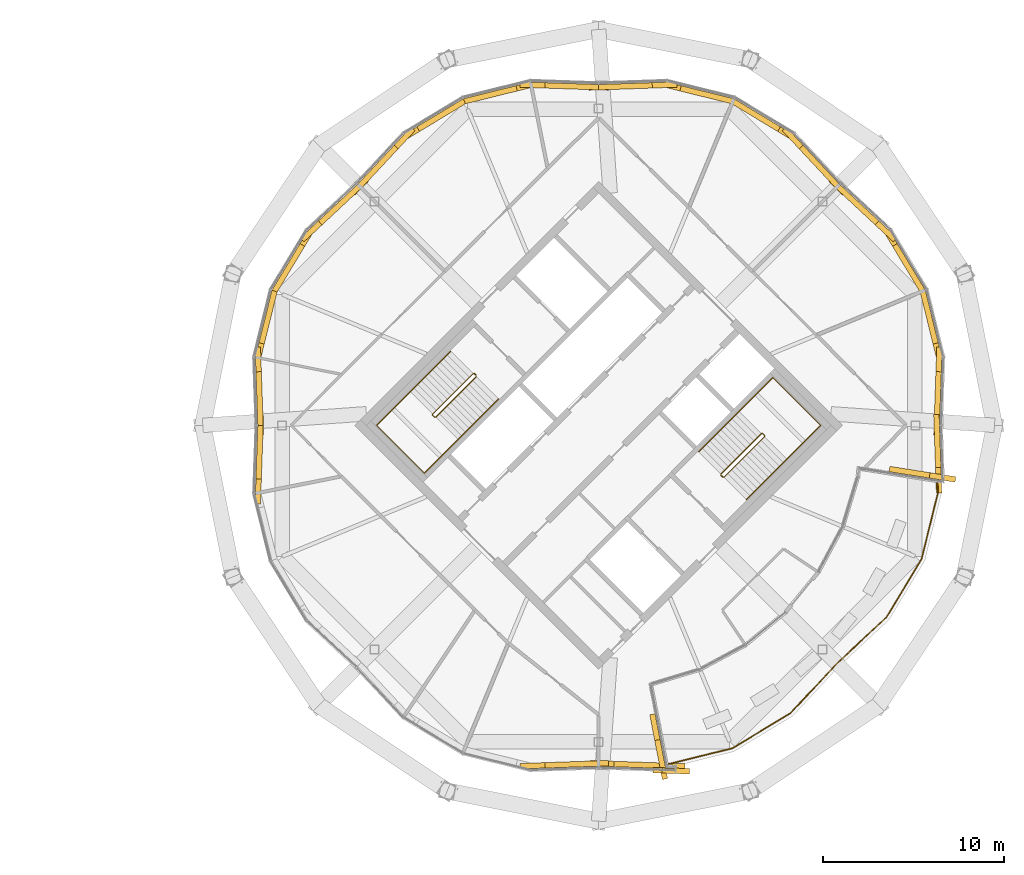
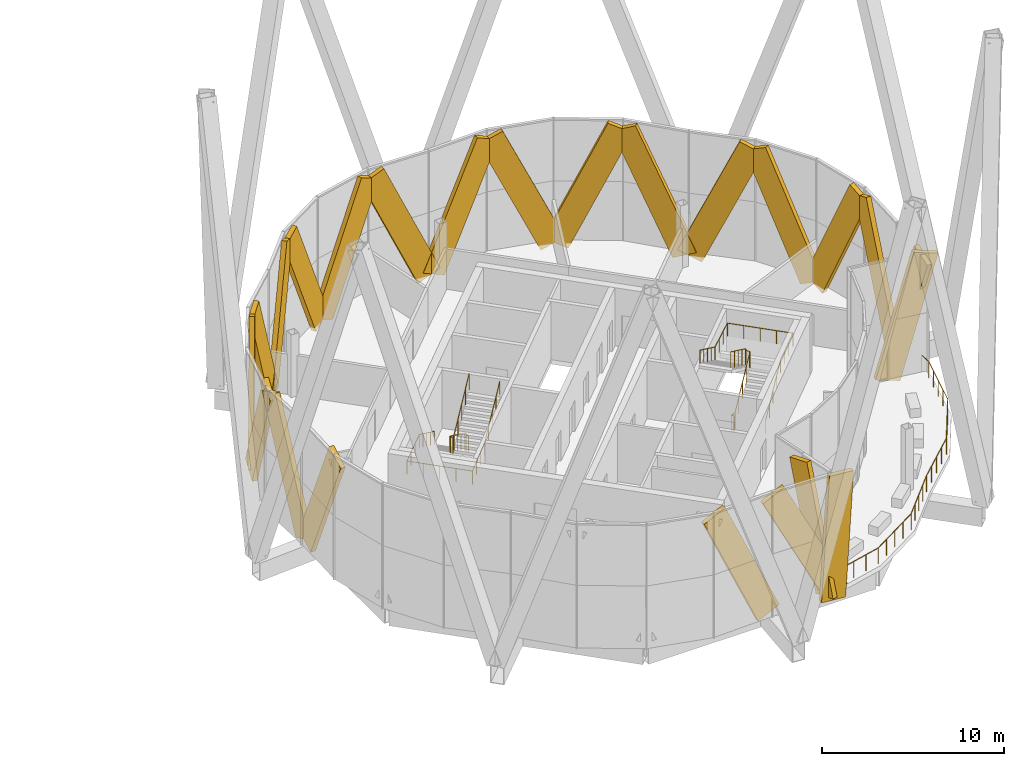
# One storey, part 37 of 38: 23 coverings, 5 railings.
"""IFC4 building model written with IfcOpenShell, lengths in metres."""

from ifc_helpers import new_model, si_unit, direction, frame, origin, origin_2d, place, context, subcontext, project, spatial, rectangle, circle, extrude, material, material_profile, profile_set, type_object, element, save


model = new_model("IFC4")

# Units and contexts
model_context = context("Model", 3, precision=1e-05, world=origin(), true_north=direction((0.0, 1.0)))
body_context = subcontext(model_context, "Body", "Model", "MODEL_VIEW")
ifc_project = project(units=[si_unit("LENGTHUNIT", "METRE"), si_unit("AREAUNIT", "SQUARE_METRE"), si_unit("VOLUMEUNIT", "CUBIC_METRE"), si_unit("PLANEANGLEUNIT", "RADIAN"), si_unit("MASSUNIT", "GRAM", prefix="KILO")], contexts=[model_context])

# Site, building, storey
site_placement = place(None, origin())
site = spatial("IfcSite", under=ifc_project, at=site_placement, CompositionType="ELEMENT")
building_placement = place(site_placement, origin())
building = spatial("IfcBuilding", under=site, at=building_placement, Name="Ogive Gate Towers", CompositionType="ELEMENT")
storey_placement = place(building_placement, frame((0.0, 0.0, 268.800048828125)))
storey = spatial("IfcBuildingStorey", under=building, at=storey_placement, Name="L63", CompositionType="ELEMENT", Elevation=268.800048828125)

# Coverings
ifc_material_1 = material(Name="Pale metal aluminium", Category="aluminium")
ifc_material_profile = material_profile(ifc_material_1, rectangle(XDim=0.300048828125, YDim=1.5, at=origin_2d()), Name="1500 x 300 pale metal aluminium")
ifc_profile_set = profile_set([ifc_material_profile], Name="Pale metal aluminium")
covering_type = type_object("IfcCoveringType", Name="Facade fin 1500 x 300", PredefinedType="CLADDING", material=ifc_profile_set)
covering_1_placement = place(storey_placement, frame((49.280029296875, 13.073974609375, -0.04296875), z_axis=(0.299349711694, -0.279381621216, 0.912324317244), x_axis=(0.682303314669, 0.731069207936, 0.0)))
element("IfcCovering", 1, at=covering_1_placement, inside=storey, type_object=covering_type, Name="Facade fin", PredefinedType="CLADDING", context=body_context, shape_type="SweptSolid", body=[
    extrude(rectangle(XDim=0.300048828125, YDim=1.5, at=origin_2d()), origin(), (0.0, 0.0, 1.0), 8.5341796875),
])
covering_2_placement = place(storey_placement, frame((53.802001953125, 7.48828125, -0.0390625), z_axis=(-0.214437127, 0.355100799146, 0.909901171012), x_axis=(-0.856025355969, -0.516933835165, 0.0)))
element("IfcCovering", 2, at=covering_2_placement, inside=storey, type_object=covering_type, Name="Facade fin", PredefinedType="CLADDING", context=body_context, shape_type="SweptSolid", body=[
    extrude(rectangle(XDim=0.300048828125, YDim=1.5, at=origin_2d()), origin(), (0.0, 0.0, 1.0), 8.548095703125),
])
covering_3_placement = place(storey_placement, frame((53.8828125, 7.29296875, -0.0390625), z_axis=(0.09945054797, -0.402714740487, 0.909906822869), x_axis=(0.970835134211, 0.239748080661, 0.0)))
element("IfcCovering", 3, at=covering_3_placement, inside=storey, type_object=covering_type, Name="Facade fin", PredefinedType="CLADDING", context=body_context, shape_type="SweptSolid", body=[
    extrude(rectangle(XDim=0.300048828125, YDim=1.5, at=origin_2d()), origin(), (0.0, 0.0, 1.0), 8.5478515625),
])
for number, where, z_axis, x_axis, name in (
    (4, (54.635009765625, 0.145751953125, -0.04296875), (0.014132103732, 0.409230250787, 0.912321700654), (-0.999404255625, 0.03451280687, 0.0), "Facade fin"),
    (5, (36.145751953125, 18.635009765625, -0.04296875), (0.409230250787, 0.014132103732, 0.912321700654), (-0.03451280687, 0.999404255625, 0.0), "Facade fin"),
):
    element("IfcCovering", number, at=place(storey_placement, frame(where, z_axis=z_axis, x_axis=x_axis)), inside=storey, type_object=covering_type, Name=name, PredefinedType="CLADDING", context=body_context, shape_type="SweptSolid", body=[
        extrude(rectangle(XDim=0.300048828125, YDim=1.5, at=origin_2d()), origin(), (0.0, 0.0, 1.0), 8.5341796875),
    ])
covering_4_placement = place(storey_placement, frame((43.29296875, 17.8828125, -0.0390625), z_axis=(-0.402714740487, 0.09945054797, 0.909906822869), x_axis=(-0.239748080661, -0.970835134211, 0.0)))
element("IfcCovering", 6, at=covering_4_placement, inside=storey, type_object=covering_type, Name="Facade fin", PredefinedType="CLADDING", context=body_context, shape_type="SweptSolid", body=[
    extrude(rectangle(XDim=0.300048828125, YDim=1.5, at=origin_2d()), origin(), (0.0, 0.0, 1.0), 8.5478515625),
])
covering_5_placement = place(storey_placement, frame((43.48828125, 17.802001953125, -0.0390625), z_axis=(0.355100799146, -0.214437127, 0.909901171012), x_axis=(0.516933835165, 0.856025355969, 0.0)))
element("IfcCovering", 7, at=covering_5_placement, inside=storey, type_object=covering_type, Name="Facade fin", PredefinedType="CLADDING", context=body_context, shape_type="SweptSolid", body=[
    extrude(rectangle(XDim=0.300048828125, YDim=1.5, at=origin_2d()), origin(), (0.0, 0.0, 1.0), 8.548095703125),
])
for number, where, z_axis, x_axis, name in (
    (8, (49.073974609375, 13.280029296875, -0.04296875), (-0.279381621216, 0.299349711694, 0.912324317244), (-0.731069207936, -0.682303314669, 0.0), "Facade fin"),
    (9, (22.926025390625, 13.280029296875, -0.04296875), (0.279381621216, 0.299349711694, 0.912324317244), (-0.731069207936, 0.682303314669, 0.0), "Facade fin"),
):
    element("IfcCovering", number, at=place(storey_placement, frame(where, z_axis=z_axis, x_axis=x_axis)), inside=storey, type_object=covering_type, Name=name, PredefinedType="CLADDING", context=body_context, shape_type="SweptSolid", body=[
        extrude(rectangle(XDim=0.300048828125, YDim=1.5, at=origin_2d()), origin(), (0.0, 0.0, 1.0), 8.5341796875),
    ])
covering_6_placement = place(storey_placement, frame((28.51171875, 17.802001953125, -0.0390625), z_axis=(-0.355100799146, -0.214437127, 0.909901171012), x_axis=(0.516933835165, -0.856025355969, 0.0)))
element("IfcCovering", 10, at=covering_6_placement, inside=storey, type_object=covering_type, Name="Facade fin", PredefinedType="CLADDING", context=body_context, shape_type="SweptSolid", body=[
    extrude(rectangle(XDim=0.300048828125, YDim=1.5, at=origin_2d()), origin(), (0.0, 0.0, 1.0), 8.548095703125),
])
covering_7_placement = place(storey_placement, frame((28.70703125, 17.8828125, -0.0390625), z_axis=(0.402714740487, 0.09945054797, 0.909906822869), x_axis=(-0.239748080661, 0.970835134211, 0.0)))
element("IfcCovering", 11, at=covering_7_placement, inside=storey, type_object=covering_type, Name="Facade fin", PredefinedType="CLADDING", context=body_context, shape_type="SweptSolid", body=[
    extrude(rectangle(XDim=0.300048828125, YDim=1.5, at=origin_2d()), origin(), (0.0, 0.0, 1.0), 8.5478515625),
])
for number, where, z_axis, x_axis, name in (
    (12, (35.854248046875, 18.635009765625, -0.04296875), (-0.409230250787, 0.014132103732, 0.912321700654), (-0.03451280687, -0.999404255625, 0.0), "Facade fin"),
    (13, (17.364990234375, 0.145751953125, -0.04296875), (-0.014132103732, 0.409230250787, 0.912321700654), (-0.999404255625, -0.03451280687, 0.0), "Facade fin"),
):
    element("IfcCovering", number, at=place(storey_placement, frame(where, z_axis=z_axis, x_axis=x_axis)), inside=storey, type_object=covering_type, Name=name, PredefinedType="CLADDING", context=body_context, shape_type="SweptSolid", body=[
        extrude(rectangle(XDim=0.300048828125, YDim=1.5, at=origin_2d()), origin(), (0.0, 0.0, 1.0), 8.5341796875),
    ])
covering_8_placement = place(storey_placement, frame((18.1171875, 7.29296875, -0.0390625), z_axis=(-0.09945054797, -0.402714740487, 0.909906822869), x_axis=(0.970835134211, -0.239748080661, 0.0)))
element("IfcCovering", 14, at=covering_8_placement, inside=storey, type_object=covering_type, Name="Facade fin", PredefinedType="CLADDING", context=body_context, shape_type="SweptSolid", body=[
    extrude(rectangle(XDim=0.300048828125, YDim=1.5, at=origin_2d()), origin(), (0.0, 0.0, 1.0), 8.5478515625),
])
covering_9_placement = place(storey_placement, frame((18.197998046875, 7.48828125, -0.0390625), z_axis=(0.214437127, 0.355100799146, 0.909901171012), x_axis=(-0.856025355969, 0.516933835165, 0.0)))
element("IfcCovering", 15, at=covering_9_placement, inside=storey, type_object=covering_type, Name="Facade fin", PredefinedType="CLADDING", context=body_context, shape_type="SweptSolid", body=[
    extrude(rectangle(XDim=0.300048828125, YDim=1.5, at=origin_2d()), origin(), (0.0, 0.0, 1.0), 8.548095703125),
])
for number, where, z_axis, x_axis, name in (
    (16, (22.719970703125, 13.073974609375, -0.04296875), (-0.299349711694, -0.279381621216, 0.912324317244), (0.682303314669, -0.731069207936, 0.0), "Facade fin"),
    (17, (17.364990234375, -0.145751953125, -0.04296875), (-0.014132103732, -0.409230250787, 0.912321700654), (0.999404255625, -0.03451280687, 0.0), "Facade fin"),
    (18, (35.854248046875, -18.635009765625, -0.04296875), (-0.409230250787, -0.014132103732, 0.912321700654), (0.03451280687, -0.999404255625, 0.0), "Facade fin"),
):
    element("IfcCovering", number, at=place(storey_placement, frame(where, z_axis=z_axis, x_axis=x_axis)), inside=storey, type_object=covering_type, Name=name, PredefinedType="CLADDING", context=body_context, shape_type="SweptSolid", body=[
        extrude(rectangle(XDim=0.300048828125, YDim=1.5, at=origin_2d()), origin(), (0.0, 0.0, 1.0), 8.5341796875),
    ])
covering_10_placement = place(storey_placement, frame((39.51806640625, -18.7802734375, -0.15185546875), z_axis=(-0.050424030971, 0.259445466239, 0.964440494353), x_axis=(-0.981632185631, -0.190783259573, 0.0)))
element("IfcCovering", 19, at=covering_10_placement, inside=storey, type_object=covering_type, Name="Facade fin", PredefinedType="CLADDING", context=body_context, shape_type="SweptSolid", body=[
    extrude(rectangle(XDim=0.300048828125, YDim=1.5, at=origin_2d()), origin(), (0.0, 0.0, 1.0), 8.298828125),
])
covering_11_placement = place(storey_placement, frame((39.7490234375, -19.019775390625, -0.304931640625), z_axis=(0.060179704277, -0.00208224123, 0.998185387323), x_axis=(0.034579696874, 0.999401943446, 0.0)))
element("IfcCovering", 20, at=covering_11_placement, inside=storey, type_object=covering_type, Name="Facade fin", PredefinedType="CLADDING", context=body_context, shape_type="SweptSolid", body=[
    extrude(rectangle(XDim=0.300048828125, YDim=1.5, at=origin_2d()), origin(), (0.0, 0.0, 1.0), 8.32470703125),
])
covering_12_placement = place(storey_placement, frame((40.090087890625, -18.771240234375, -0.010986328125), z_axis=(-0.451722200221, 0.015596077713, 0.892022318211), x_axis=(-0.03450525676, -0.999404516328, 0.0)))
element("IfcCovering", 21, at=covering_12_placement, inside=storey, type_object=covering_type, Name="Facade fin", PredefinedType="CLADDING", context=body_context, shape_type="SweptSolid", body=[
    extrude(rectangle(XDim=0.300048828125, YDim=1.5, at=origin_2d()), origin(), (0.0, 0.0, 1.0), 8.65673828125),
])
covering_13_placement = place(storey_placement, frame((54.633544921875, -0.10400390625, -0.08984375), z_axis=(0.011972404687, -0.346734788181, 0.937886799241), x_axis=(0.99940440668, 0.034508432413, 0.0)))
element("IfcCovering", 22, at=covering_13_placement, inside=storey, type_object=covering_type, Name="Facade fin", PredefinedType="CLADDING", context=body_context, shape_type="SweptSolid", body=[
    extrude(rectangle(XDim=0.300048828125, YDim=1.5, at=origin_2d()), origin(), (0.0, 0.0, 1.0), 8.4013671875),
])
covering_14_placement = place(storey_placement, frame((52.739013671875, -2.51953125, -0.14794921875), z_axis=(0.265999968803, -0.042137735496, 0.963051622627), x_axis=(0.156461556782, 0.987684049304, 0.0)))
element("IfcCovering", 23, at=covering_14_placement, inside=storey, type_object=covering_type, Name="Facade fin", PredefinedType="CLADDING", context=body_context, shape_type="SweptSolid", body=[
    extrude(rectangle(XDim=0.300048828125, YDim=1.5, at=origin_2d()), origin(), (0.0, 0.0, 1.0), 8.302734375),
])

# Railings
ifc_material_2 = material(Name="Stainless steel", Category="steel")
railing_type_1 = type_object("IfcRailingType", Name="Guard 1100", PredefinedType="GUARDRAIL", material=ifc_material_2)
railing_1_placement = place(storey_placement, frame((54.663330078125, -2.99462890625, 0.0)))
element("IfcRailing", 24, at=railing_1_placement, inside=storey, type_object=railing_type_1, Name="Sky garden guard", PredefinedType="GUARDRAIL", context=body_context, shape_type="SweptSolid", body=[
    extrude(circle(Radius=0.02392578125, at=origin_2d()), frame((0.0, 0.0, 1.076171875), z_axis=(0.03485869648, -0.99939225096, 0.0), x_axis=(0.99939225096, 0.03485869648, 0.0)), (0.0, 0.0, 1.0), 0.742431640625),
    extrude(circle(Radius=0.02392578125, at=origin_2d()), frame((0.02587890625, -0.741943359375, 1.076171875), z_axis=(-0.239817671513, -0.970817946079, 0.0), x_axis=(0.970817946079, -0.239817671513, 0.0)), (0.0, 0.0, 1.0), 3.7421875),
    extrude(circle(Radius=0.02392578125, at=origin_2d()), frame((-0.87158203125, -4.375, 1.076171875), z_axis=(-0.516911497969, -0.856038844485, 0.0), x_axis=(0.856038844485, -0.516911497969, 0.0)), (0.0, 0.0, 1.0), 3.7421875),
    extrude(circle(Radius=0.02392578125, at=origin_2d()), frame((-2.805908203125, -7.578369140625, 1.076171875), z_axis=(-0.731118352896, -0.682250653396, 0.0), x_axis=(0.682250653396, -0.731118352896, 0.0)), (0.0, 0.0, 1.0), 3.73193359375),
    extrude(circle(Radius=0.02392578125, at=origin_2d()), frame((-5.534423828125, -10.12451171875, 1.076171875), z_axis=(-0.68234379459, -0.731031426127, 0.0), x_axis=(0.731031426127, -0.68234379459, 0.0)), (0.0, 0.0, 1.0), 3.745849609375),
    extrude(circle(Radius=0.02392578125, at=origin_2d()), frame((-8.09033203125, -12.86279296875, 1.076171875), z_axis=(-0.856038844485, -0.516911497969, 0.0), x_axis=(0.516911497969, -0.856038844485, 0.0)), (0.0, 0.0, 1.0), 3.7421875),
    extrude(circle(Radius=0.02392578125, at=origin_2d()), frame((-11.293701171875, -14.797119140625, 1.076171875), z_axis=(-0.970817946079, -0.239817671513, 0.0), x_axis=(0.239817671513, -0.970817946079, 0.0)), (0.0, 0.0, 1.0), 3.7421875),
    extrude(circle(Radius=0.02392578125, at=origin_2d()), frame((-14.9267578125, -15.694580078125, 1.076171875), z_axis=(-0.999291731976, 0.037630232585, 0.0), x_axis=(-0.037630232585, -0.999291731976, 0.0)), (0.0, 0.0, 1.0), 0.058349609375),
    extrude(circle(Radius=0.02099609375, at=origin_2d()), origin(), (0.0, 0.0, 1.0), 1.052001953125),
    extrude(circle(Radius=0.02099609375, at=origin_2d()), frame((0.02587890625, -0.741943359375, 0.0)), (0.0, 0.0, 1.0), 1.052001953125),
    extrude(circle(Radius=0.02099609375, at=origin_2d()), frame((-0.198486328125, -1.650146484375, 0.0)), (0.0, 0.0, 1.0), 1.052001953125),
    extrude(circle(Radius=0.02099609375, at=origin_2d()), frame((-0.4228515625, -2.55859375, 0.0)), (0.0, 0.0, 1.0), 1.052001953125),
    extrude(circle(Radius=0.02099609375, at=origin_2d()), frame((-0.647216796875, -3.466796875, 0.0)), (0.0, 0.0, 1.0), 1.052001953125),
    extrude(circle(Radius=0.02099609375, at=origin_2d()), frame((-0.87158203125, -4.375, 0.0)), (0.0, 0.0, 1.0), 1.052001953125),
    extrude(circle(Radius=0.02099609375, at=origin_2d()), frame((-1.355224609375, -5.17578125, 0.0)), (0.0, 0.0, 1.0), 1.052001953125),
    extrude(circle(Radius=0.02099609375, at=origin_2d()), frame((-1.8388671875, -5.9765625, 0.0)), (0.0, 0.0, 1.0), 1.052001953125),
    extrude(circle(Radius=0.02099609375, at=origin_2d()), frame((-2.322265625, -6.777587890625, 0.0)), (0.0, 0.0, 1.0), 1.052001953125),
    extrude(circle(Radius=0.02099609375, at=origin_2d()), frame((-2.805908203125, -7.578369140625, 0.0)), (0.0, 0.0, 1.0), 1.052001953125),
    extrude(circle(Radius=0.02099609375, at=origin_2d()), frame((-3.488037109375, -8.21484375, 0.0)), (0.0, 0.0, 1.0), 1.052001953125),
    extrude(circle(Radius=0.02099609375, at=origin_2d()), frame((-4.170166015625, -8.8515625, 0.0)), (0.0, 0.0, 1.0), 1.052001953125),
    extrude(circle(Radius=0.02099609375, at=origin_2d()), frame((-4.852294921875, -9.488037109375, 0.0)), (0.0, 0.0, 1.0), 1.052001953125),
    extrude(circle(Radius=0.02099609375, at=origin_2d()), frame((-5.534423828125, -10.12451171875, 0.0)), (0.0, 0.0, 1.0), 1.052001953125),
    extrude(circle(Radius=0.02099609375, at=origin_2d()), frame((-6.17333984375, -10.80908203125, 0.0)), (0.0, 0.0, 1.0), 1.052001953125),
    extrude(circle(Radius=0.02099609375, at=origin_2d()), frame((-6.8125, -11.49365234375, 0.0)), (0.0, 0.0, 1.0), 1.052001953125),
    extrude(circle(Radius=0.02099609375, at=origin_2d()), frame((-7.451416015625, -12.17822265625, 0.0)), (0.0, 0.0, 1.0), 1.052001953125),
    extrude(circle(Radius=0.02099609375, at=origin_2d()), frame((-8.09033203125, -12.86279296875, 0.0)), (0.0, 0.0, 1.0), 1.052001953125),
    extrude(circle(Radius=0.02099609375, at=origin_2d()), frame((-8.89111328125, -13.346435546875, 0.0)), (0.0, 0.0, 1.0), 1.052001953125),
    extrude(circle(Radius=0.02099609375, at=origin_2d()), frame((-9.69189453125, -13.830078125, 0.0)), (0.0, 0.0, 1.0), 1.052001953125),
    extrude(circle(Radius=0.02099609375, at=origin_2d()), frame((-10.492919921875, -14.3134765625, 0.0)), (0.0, 0.0, 1.0), 1.052001953125),
    extrude(circle(Radius=0.02099609375, at=origin_2d()), frame((-11.293701171875, -14.797119140625, 0.0)), (0.0, 0.0, 1.0), 1.052001953125),
    extrude(circle(Radius=0.02099609375, at=origin_2d()), frame((-12.201904296875, -15.021484375, 0.0)), (0.0, 0.0, 1.0), 1.052001953125),
    extrude(circle(Radius=0.02099609375, at=origin_2d()), frame((-13.1103515625, -15.245849609375, 0.0)), (0.0, 0.0, 1.0), 1.052001953125),
    extrude(circle(Radius=0.02099609375, at=origin_2d()), frame((-14.0185546875, -15.47021484375, 0.0)), (0.0, 0.0, 1.0), 1.052001953125),
    extrude(circle(Radius=0.02099609375, at=origin_2d()), frame((-14.9267578125, -15.694580078125, 0.0)), (0.0, 0.0, 1.0), 1.052001953125),
    extrude(circle(Radius=0.02099609375, at=origin_2d()), frame((-14.985107421875, -15.6923828125, 0.0)), (0.0, 0.0, 1.0), 1.052001953125),
])
railing_type_2 = type_object("IfcRailingType", Name="Stair guard 1100", PredefinedType="GUARDRAIL", material=ifc_material_2)
railing_2_placement = place(storey_placement, frame((29.15869140625, 2.8603515625, 0.0)))
element("IfcRailing", 25, at=railing_2_placement, inside=storey, type_object=railing_type_2, Name="L63 ST1 stair guard 1", PredefinedType="GUARDRAIL", context=body_context, shape_type="SweptSolid", body=[
    extrude(circle(Radius=0.02392578125, at=origin_2d()), frame((0.0, 0.0, 1.076171875), z_axis=(0.707106781187, -0.707106781187, 0.0), x_axis=(0.707106781187, 0.707106781187, 0.0)), (0.0, 0.0, 1.0), 0.14501953125),
    extrude(circle(Radius=0.02392578125, at=origin_2d()), frame((0.1025390625, -0.1025390625, 1.076171875), z_axis=(-0.649075284728, 0.384501579105, 0.65639912433), x_axis=(-0.509669330572, -0.860370369942, 0.0)), (0.0, 0.0, 1.0), 0.2666015625),
    extrude(circle(Radius=0.02392578125, at=origin_2d()), frame((-0.070556640625, 0.0, 1.2509765625), z_axis=(-0.604033673362, -0.604033673362, 0.519890991352), x_axis=(0.707106781187, -0.707106781187, 0.0)), (0.0, 0.0, 1.0), 3.702392578125),
    extrude(circle(Radius=0.02392578125, at=origin_2d()), frame((-2.306884765625, -2.236328125, 3.17578125), z_axis=(0.0, -1.0, 0.0), x_axis=(1.0, 0.0, 0.0)), (0.0, 0.0, 1.0), 0.07080078125),
    extrude(circle(Radius=0.02392578125, at=origin_2d()), frame((-2.306884765625, -2.30712890625, 3.17578125), z_axis=(0.707106781187, -0.707106781187, 0.0), x_axis=(0.707106781187, 0.707106781187, 0.0)), (0.0, 0.0, 1.0), 0.14501953125),
    extrude(circle(Radius=0.02392578125, at=origin_2d()), frame((-2.204345703125, -2.40966796875, 3.17578125), z_axis=(0.374954686889, 0.0, 0.927043139654), x_axis=(0.0, 1.0, 0.0)), (0.0, 0.0, 1.0), 0.188720703125),
    extrude(circle(Radius=0.02392578125, at=origin_2d()), frame((-2.133544921875, -2.40966796875, 3.35107421875), z_axis=(0.603971079388, 0.604037022294, 0.51995981668), x_axis=(-0.707145379772, 0.707068180494, 0.0)), (0.0, 0.0, 1.0), 3.702392578125),
    extrude(circle(Radius=0.02099609375, at=origin_2d()), origin(), (0.0, 0.0, 1.0), 1.052001953125),
    extrude(circle(Radius=0.02099609375, at=origin_2d()), frame((0.1025390625, -0.1025390625, 0.0)), (0.0, 0.0, 1.0), 1.052001953125),
    extrude(circle(Radius=0.02099609375, at=origin_2d()), frame((-0.070556640625, 0.0, 0.175048828125)), (0.0, 0.0, 1.0), 1.052001953125),
    extrude(circle(Radius=0.02099609375, at=origin_2d()), frame((-0.629638671875, -0.55908203125, 0.65625)), (0.0, 0.0, 1.0), 1.052001953125),
    extrude(circle(Radius=0.02099609375, at=origin_2d()), frame((-1.188720703125, -1.1181640625, 1.137451171875)), (0.0, 0.0, 1.0), 1.052001953125),
    extrude(circle(Radius=0.02099609375, at=origin_2d()), frame((-1.747802734375, -1.67724609375, 1.61865234375)), (0.0, 0.0, 1.0), 1.052001953125),
    extrude(circle(Radius=0.02099609375, at=origin_2d()), frame((-2.306884765625, -2.236328125, 2.099853515625)), (0.0, 0.0, 1.0), 1.052001953125),
    extrude(circle(Radius=0.02099609375, at=origin_2d()), frame((-2.306884765625, -2.30712890625, 2.099853515625)), (0.0, 0.0, 1.0), 1.052001953125),
    extrude(circle(Radius=0.02099609375, at=origin_2d()), frame((-2.204345703125, -2.40966796875, 2.099853515625)), (0.0, 0.0, 1.0), 1.052001953125),
    extrude(circle(Radius=0.02099609375, at=origin_2d()), frame((-2.133544921875, -2.40966796875, 2.27490234375)), (0.0, 0.0, 1.0), 1.052001953125),
    extrude(circle(Radius=0.02099609375, at=origin_2d()), frame((-1.574462890625, -1.8505859375, 2.756103515625)), (0.0, 0.0, 1.0), 1.052001953125),
    extrude(circle(Radius=0.02099609375, at=origin_2d()), frame((-1.015625, -1.29150390625, 3.2373046875)), (0.0, 0.0, 1.0), 1.052001953125),
    extrude(circle(Radius=0.02099609375, at=origin_2d()), frame((-0.45654296875, -0.732421875, 3.71875)), (0.0, 0.0, 1.0), 1.052001953125),
    extrude(circle(Radius=0.02099609375, at=origin_2d()), frame((0.1025390625, -0.17333984375, 4.199951171875)), (0.0, 0.0, 1.0), 1.052001953125),
])
railing_3_placement = place(storey_placement, frame((42.84130859375, -2.8603515625, 0.0)))
element("IfcRailing", 26, at=railing_3_placement, inside=storey, type_object=railing_type_2, Name="L63 ST2 stair guard 1", PredefinedType="GUARDRAIL", context=body_context, shape_type="SweptSolid", body=[
    extrude(circle(Radius=0.02392578125, at=origin_2d()), frame((0.0, 0.0, 1.076171875), z_axis=(-0.707106781187, 0.707106781187, 0.0), x_axis=(-0.707106781187, -0.707106781187, 0.0)), (0.0, 0.0, 1.0), 0.14501953125),
    extrude(circle(Radius=0.02392578125, at=origin_2d()), frame((-0.1025390625, 0.1025390625, 1.076171875), z_axis=(0.649075284728, -0.384501579105, 0.65639912433), x_axis=(0.509669330572, 0.860370369942, 0.0)), (0.0, 0.0, 1.0), 0.2666015625),
    extrude(circle(Radius=0.02392578125, at=origin_2d()), frame((0.070556640625, 0.0, 1.2509765625), z_axis=(0.604033673362, 0.604033673362, 0.519890991352), x_axis=(-0.707106781187, 0.707106781187, 0.0)), (0.0, 0.0, 1.0), 3.702392578125),
    extrude(circle(Radius=0.02392578125, at=origin_2d()), frame((2.306884765625, 2.236328125, 3.17578125), z_axis=(0.0, 1.0, 0.0), x_axis=(-1.0, 0.0, 0.0)), (0.0, 0.0, 1.0), 0.07080078125),
    extrude(circle(Radius=0.02392578125, at=origin_2d()), frame((2.306884765625, 2.30712890625, 3.17578125), z_axis=(-0.707106781187, 0.707106781187, 0.0), x_axis=(-0.707106781187, -0.707106781187, 0.0)), (0.0, 0.0, 1.0), 0.14501953125),
    extrude(circle(Radius=0.02392578125, at=origin_2d()), frame((2.204345703125, 2.40966796875, 3.17578125), z_axis=(-0.374954686889, 0.0, 0.927043139654), x_axis=(0.0, -1.0, 0.0)), (0.0, 0.0, 1.0), 0.188720703125),
    extrude(circle(Radius=0.02392578125, at=origin_2d()), frame((2.133544921875, 2.40966796875, 3.35107421875), z_axis=(-0.603971079388, -0.604037022294, 0.51995981668), x_axis=(0.707145379772, -0.707068180494, 0.0)), (0.0, 0.0, 1.0), 3.702392578125),
    extrude(circle(Radius=0.02099609375, at=origin_2d()), origin(), (0.0, 0.0, 1.0), 1.052001953125),
    extrude(circle(Radius=0.02099609375, at=origin_2d()), frame((-0.1025390625, 0.1025390625, 0.0)), (0.0, 0.0, 1.0), 1.052001953125),
    extrude(circle(Radius=0.02099609375, at=origin_2d()), frame((0.070556640625, 0.0, 0.175048828125)), (0.0, 0.0, 1.0), 1.052001953125),
    extrude(circle(Radius=0.02099609375, at=origin_2d()), frame((0.629638671875, 0.55908203125, 0.65625)), (0.0, 0.0, 1.0), 1.052001953125),
    extrude(circle(Radius=0.02099609375, at=origin_2d()), frame((1.188720703125, 1.1181640625, 1.137451171875)), (0.0, 0.0, 1.0), 1.052001953125),
    extrude(circle(Radius=0.02099609375, at=origin_2d()), frame((1.747802734375, 1.67724609375, 1.61865234375)), (0.0, 0.0, 1.0), 1.052001953125),
    extrude(circle(Radius=0.02099609375, at=origin_2d()), frame((2.306884765625, 2.236328125, 2.099853515625)), (0.0, 0.0, 1.0), 1.052001953125),
    extrude(circle(Radius=0.02099609375, at=origin_2d()), frame((2.306884765625, 2.30712890625, 2.099853515625)), (0.0, 0.0, 1.0), 1.052001953125),
    extrude(circle(Radius=0.02099609375, at=origin_2d()), frame((2.204345703125, 2.40966796875, 2.099853515625)), (0.0, 0.0, 1.0), 1.052001953125),
    extrude(circle(Radius=0.02099609375, at=origin_2d()), frame((2.133544921875, 2.40966796875, 2.27490234375)), (0.0, 0.0, 1.0), 1.052001953125),
    extrude(circle(Radius=0.02099609375, at=origin_2d()), frame((1.574462890625, 1.8505859375, 2.756103515625)), (0.0, 0.0, 1.0), 1.052001953125),
    extrude(circle(Radius=0.02099609375, at=origin_2d()), frame((1.015625, 1.29150390625, 3.2373046875)), (0.0, 0.0, 1.0), 1.052001953125),
    extrude(circle(Radius=0.02099609375, at=origin_2d()), frame((0.45654296875, 0.732421875, 3.71875)), (0.0, 0.0, 1.0), 1.052001953125),
    extrude(circle(Radius=0.02099609375, at=origin_2d()), frame((-0.1025390625, 0.17333984375, 4.199951171875)), (0.0, 0.0, 1.0), 1.052001953125),
])
railing_type_3 = type_object("IfcRailingType", Name="Stair handrail 900", PredefinedType="HANDRAIL", material=ifc_material_2)
railing_4_placement = place(storey_placement, frame((27.857666015625, 4.090576171875, 0.175048828125)))
element("IfcRailing", 27, at=railing_4_placement, inside=storey, type_object=railing_type_3, Name="L63 ST1 stair handrail 1", PredefinedType="HANDRAIL", context=body_context, shape_type="SweptSolid", body=[
    extrude(circle(Radius=0.02392578125, at=origin_2d()), frame((0.0, 0.0, 0.8759765625), z_axis=(-0.604057733063, -0.603991787895, 0.519911699505), x_axis=(0.707068180494, -0.707145379772, 0.0)), (0.0, 0.0, 1.0), 3.7021484375),
    extrude(circle(Radius=0.02392578125, at=origin_2d()), frame((-2.236328125, -2.236083984375, 2.80078125), z_axis=(-0.70706023191, -0.707153327399, 0.0), x_axis=(0.707153327399, -0.70706023191, 0.0)), (0.0, 0.0, 1.0), 2.62255859375),
    extrude(circle(Radius=0.02392578125, at=origin_2d()), frame((-4.090576171875, -4.090576171875, 2.80078125), z_axis=(0.707106781187, -0.707106781187, 0.0), x_axis=(0.707106781187, 0.707106781187, 0.0)), (0.0, 0.0, 1.0), 3.72509765625),
    extrude(circle(Radius=0.02392578125, at=origin_2d()), frame((-1.45654296875, -6.724609375, 2.80078125), z_axis=(0.705490325719, 0.705583214505, 0.066601259189), x_axis=(-0.707153327399, 0.70706023191, 0.0)), (0.0, 0.0, 1.0), 2.62841796875),
    extrude(circle(Radius=0.02392578125, at=origin_2d()), frame((0.397705078125, -4.8701171875, 2.9755859375), z_axis=(0.604037022294, 0.603971079388, 0.51995981668), x_axis=(-0.707068180494, 0.707145379772, 0.0)), (0.0, 0.0, 1.0), 3.702392578125),
    extrude(circle(Radius=0.02099609375, at=origin_2d()), origin(), (0.0, 0.0, 1.0), 0.851806640625),
    extrude(circle(Radius=0.02099609375, at=origin_2d()), frame((-0.55908203125, -0.55908203125, 0.481201171875)), (0.0, 0.0, 1.0), 0.851806640625),
    extrude(circle(Radius=0.02099609375, at=origin_2d()), frame((-1.1181640625, -1.1181640625, 0.96240234375)), (0.0, 0.0, 1.0), 0.851806640625),
    extrude(circle(Radius=0.02099609375, at=origin_2d()), frame((-1.67724609375, -1.677001953125, 1.443603515625)), (0.0, 0.0, 1.0), 0.851806640625),
    extrude(circle(Radius=0.02099609375, at=origin_2d()), frame((-2.236328125, -2.236083984375, 1.9248046875)), (0.0, 0.0, 1.0), 0.851806640625),
    extrude(circle(Radius=0.02099609375, at=origin_2d()), frame((-2.8544921875, -2.854248046875, 1.9248046875)), (0.0, 0.0, 1.0), 0.851806640625),
    extrude(circle(Radius=0.02099609375, at=origin_2d()), frame((-3.472412109375, -3.472412109375, 1.9248046875)), (0.0, 0.0, 1.0), 0.851806640625),
    extrude(circle(Radius=0.02099609375, at=origin_2d()), frame((-4.090576171875, -4.090576171875, 1.9248046875)), (0.0, 0.0, 1.0), 0.851806640625),
    extrude(circle(Radius=0.02099609375, at=origin_2d()), frame((-3.43212890625, -4.7490234375, 1.9248046875)), (0.0, 0.0, 1.0), 0.851806640625),
    extrude(circle(Radius=0.02099609375, at=origin_2d()), frame((-2.7734375, -5.40771484375, 1.9248046875)), (0.0, 0.0, 1.0), 0.851806640625),
    extrude(circle(Radius=0.02099609375, at=origin_2d()), frame((-2.114990234375, -6.066162109375, 1.9248046875)), (0.0, 0.0, 1.0), 0.851806640625),
    extrude(circle(Radius=0.02099609375, at=origin_2d()), frame((-1.45654296875, -6.724609375, 1.9248046875)), (0.0, 0.0, 1.0), 0.851806640625),
    extrude(circle(Radius=0.02099609375, at=origin_2d()), frame((-0.83837890625, -6.1064453125, 1.983154296875)), (0.0, 0.0, 1.0), 0.851806640625),
    extrude(circle(Radius=0.02099609375, at=origin_2d()), frame((-0.220458984375, -5.48828125, 2.04150390625)), (0.0, 0.0, 1.0), 0.851806640625),
    extrude(circle(Radius=0.02099609375, at=origin_2d()), frame((0.397705078125, -4.8701171875, 2.099853515625)), (0.0, 0.0, 1.0), 0.851806640625),
    extrude(circle(Radius=0.02099609375, at=origin_2d()), frame((0.956787109375, -4.31103515625, 2.5810546875)), (0.0, 0.0, 1.0), 0.851806640625),
    extrude(circle(Radius=0.02099609375, at=origin_2d()), frame((1.515869140625, -3.751953125, 3.0625)), (0.0, 0.0, 1.0), 0.851806640625),
    extrude(circle(Radius=0.02099609375, at=origin_2d()), frame((2.074951171875, -3.193115234375, 3.543701171875)), (0.0, 0.0, 1.0), 0.851806640625),
    extrude(circle(Radius=0.02099609375, at=origin_2d()), frame((2.634033203125, -2.634033203125, 4.02490234375)), (0.0, 0.0, 1.0), 0.851806640625),
])
railing_5_placement = place(storey_placement, frame((44.142333984375, -4.090576171875, 0.175048828125)))
element("IfcRailing", 28, at=railing_5_placement, inside=storey, type_object=railing_type_3, Name="L63 ST2 stair handrail 1", PredefinedType="HANDRAIL", context=body_context, shape_type="SweptSolid", body=[
    extrude(circle(Radius=0.02392578125, at=origin_2d()), frame((0.0, 0.0, 0.8759765625), z_axis=(0.604057733063, 0.603991787895, 0.519911699505), x_axis=(-0.707068180494, 0.707145379772, 0.0)), (0.0, 0.0, 1.0), 3.7021484375),
    extrude(circle(Radius=0.02392578125, at=origin_2d()), frame((2.236328125, 2.236083984375, 2.80078125), z_axis=(0.70706023191, 0.707153327399, 0.0), x_axis=(-0.707153327399, 0.70706023191, 0.0)), (0.0, 0.0, 1.0), 2.62255859375),
    extrude(circle(Radius=0.02392578125, at=origin_2d()), frame((4.090576171875, 4.090576171875, 2.80078125), z_axis=(-0.707106781187, 0.707106781187, 0.0), x_axis=(-0.707106781187, -0.707106781187, 0.0)), (0.0, 0.0, 1.0), 3.72509765625),
    extrude(circle(Radius=0.02392578125, at=origin_2d()), frame((1.45654296875, 6.724609375, 2.80078125), z_axis=(-0.705490325719, -0.705583214505, 0.066601259189), x_axis=(0.707153327399, -0.70706023191, 0.0)), (0.0, 0.0, 1.0), 2.62841796875),
    extrude(circle(Radius=0.02392578125, at=origin_2d()), frame((-0.397705078125, 4.8701171875, 2.9755859375), z_axis=(-0.604037022294, -0.603971079388, 0.51995981668), x_axis=(0.707068180494, -0.707145379772, 0.0)), (0.0, 0.0, 1.0), 3.702392578125),
    extrude(circle(Radius=0.02099609375, at=origin_2d()), origin(), (0.0, 0.0, 1.0), 0.851806640625),
    extrude(circle(Radius=0.02099609375, at=origin_2d()), frame((0.55908203125, 0.55908203125, 0.481201171875)), (0.0, 0.0, 1.0), 0.851806640625),
    extrude(circle(Radius=0.02099609375, at=origin_2d()), frame((1.1181640625, 1.1181640625, 0.96240234375)), (0.0, 0.0, 1.0), 0.851806640625),
    extrude(circle(Radius=0.02099609375, at=origin_2d()), frame((1.67724609375, 1.677001953125, 1.443603515625)), (0.0, 0.0, 1.0), 0.851806640625),
    extrude(circle(Radius=0.02099609375, at=origin_2d()), frame((2.236328125, 2.236083984375, 1.9248046875)), (0.0, 0.0, 1.0), 0.851806640625),
    extrude(circle(Radius=0.02099609375, at=origin_2d()), frame((2.8544921875, 2.854248046875, 1.9248046875)), (0.0, 0.0, 1.0), 0.851806640625),
    extrude(circle(Radius=0.02099609375, at=origin_2d()), frame((3.472412109375, 3.472412109375, 1.9248046875)), (0.0, 0.0, 1.0), 0.851806640625),
    extrude(circle(Radius=0.02099609375, at=origin_2d()), frame((4.090576171875, 4.090576171875, 1.9248046875)), (0.0, 0.0, 1.0), 0.851806640625),
    extrude(circle(Radius=0.02099609375, at=origin_2d()), frame((3.43212890625, 4.7490234375, 1.9248046875)), (0.0, 0.0, 1.0), 0.851806640625),
    extrude(circle(Radius=0.02099609375, at=origin_2d()), frame((2.7734375, 5.40771484375, 1.9248046875)), (0.0, 0.0, 1.0), 0.851806640625),
    extrude(circle(Radius=0.02099609375, at=origin_2d()), frame((2.114990234375, 6.066162109375, 1.9248046875)), (0.0, 0.0, 1.0), 0.851806640625),
    extrude(circle(Radius=0.02099609375, at=origin_2d()), frame((1.45654296875, 6.724609375, 1.9248046875)), (0.0, 0.0, 1.0), 0.851806640625),
    extrude(circle(Radius=0.02099609375, at=origin_2d()), frame((0.83837890625, 6.1064453125, 1.983154296875)), (0.0, 0.0, 1.0), 0.851806640625),
    extrude(circle(Radius=0.02099609375, at=origin_2d()), frame((0.220458984375, 5.48828125, 2.04150390625)), (0.0, 0.0, 1.0), 0.851806640625),
    extrude(circle(Radius=0.02099609375, at=origin_2d()), frame((-0.397705078125, 4.8701171875, 2.099853515625)), (0.0, 0.0, 1.0), 0.851806640625),
    extrude(circle(Radius=0.02099609375, at=origin_2d()), frame((-0.956787109375, 4.31103515625, 2.5810546875)), (0.0, 0.0, 1.0), 0.851806640625),
    extrude(circle(Radius=0.02099609375, at=origin_2d()), frame((-1.515869140625, 3.751953125, 3.0625)), (0.0, 0.0, 1.0), 0.851806640625),
    extrude(circle(Radius=0.02099609375, at=origin_2d()), frame((-2.074951171875, 3.193115234375, 3.543701171875)), (0.0, 0.0, 1.0), 0.851806640625),
    extrude(circle(Radius=0.02099609375, at=origin_2d()), frame((-2.634033203125, 2.634033203125, 4.02490234375)), (0.0, 0.0, 1.0), 0.851806640625),
])

save(model, "model.ifc")
